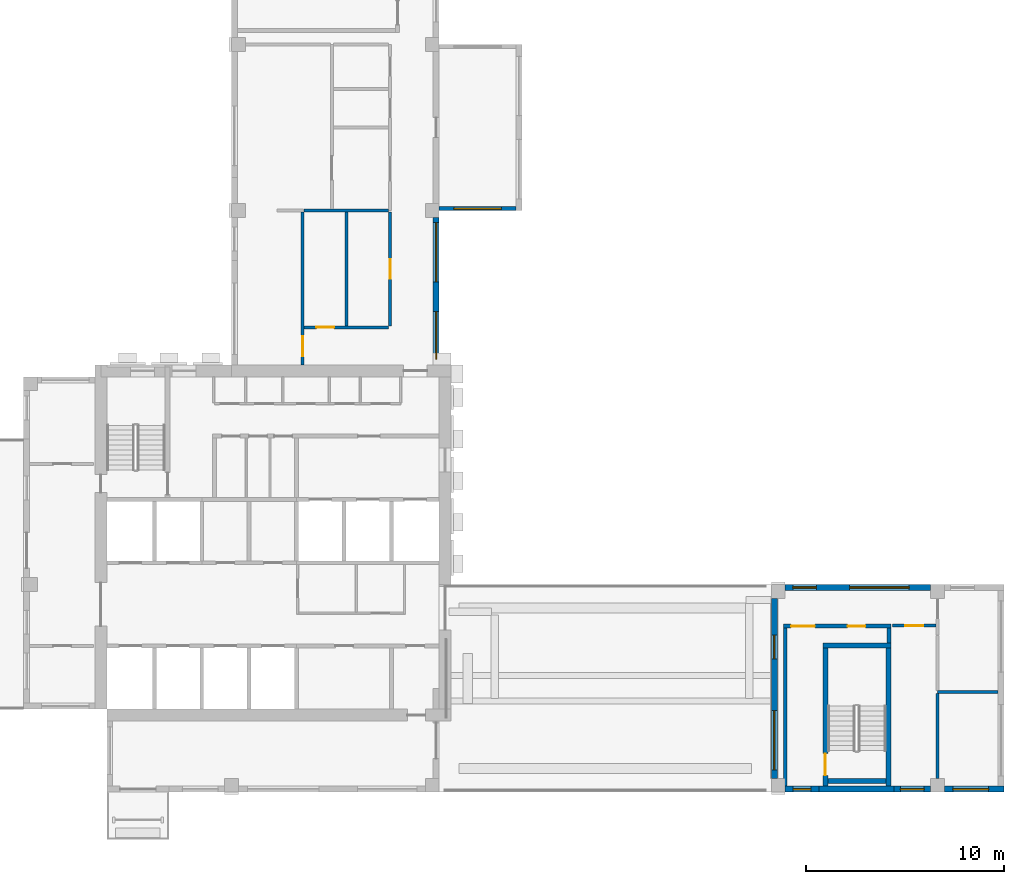
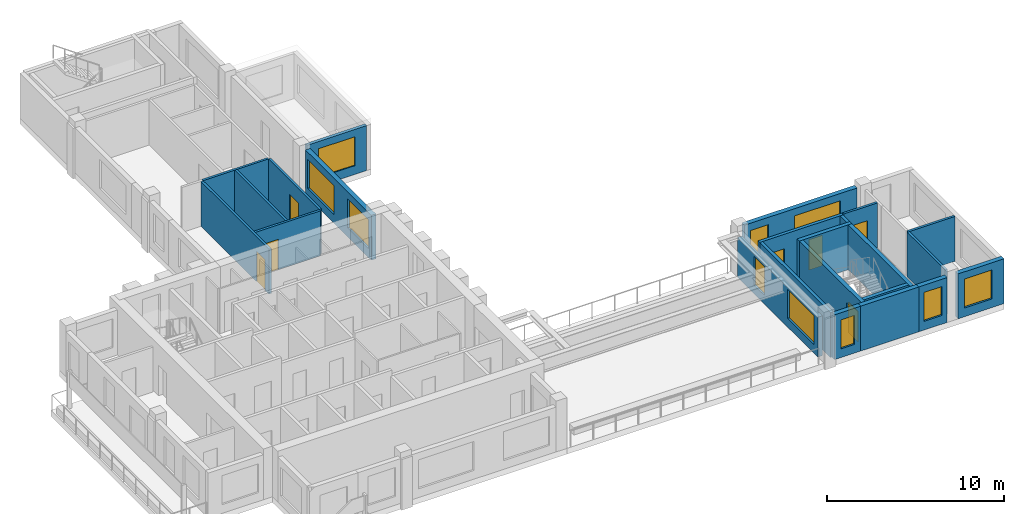
# One storey, part 4 of 10: 23 walls, 10 windows, 7 doors, 17 openings.
"""IFC4 building model written with IfcOpenShell, lengths in metres."""

from ifc_helpers import new_model, si_unit, direction, frame, frame_2d, origin, place, context, subcontext, project, spatial, rectangle, extrude, source, transform, mapped, material, layer, layer_set, type_object, element, fill, save


model = new_model("IFC4")

# Units and contexts
model_context = context("Model", 3, precision=1e-05, world=origin(), true_north=direction((0.0, 1.0)))
body_context = subcontext(model_context, "Body", "Model", "MODEL_VIEW")
ifc_project = project(units=[si_unit("LENGTHUNIT", "METRE"), si_unit("AREAUNIT", "SQUARE_METRE"), si_unit("VOLUMEUNIT", "CUBIC_METRE"), si_unit("PLANEANGLEUNIT", "RADIAN"), si_unit("MASSUNIT", "GRAM", prefix="KILO")], contexts=[model_context])

# Site, building, storey
site_placement = place(None, origin())
site = spatial("IfcSite", under=ifc_project, at=site_placement, CompositionType="ELEMENT")
building_placement = place(site_placement, origin())
building = spatial("IfcBuilding", under=site, at=building_placement, Name="Aurelian Terraces", CompositionType="ELEMENT")
storey_placement = place(building_placement, frame((0.0, 0.0, 291.5)))
storey = spatial("IfcBuildingStorey", under=building, at=storey_placement, Name="L66", CompositionType="ELEMENT", Elevation=291.5)

# Wall, opening, window
ifc_material_1 = material(Name="Terracotta rainscreen cladding", Category="masonry")
ifc_layer_1 = layer(ifc_material_1, 0.3)
ifc_layer_set_1 = layer_set([ifc_layer_1], Name="EW-300")
wall_type_1 = type_object("IfcWallType", Name="EW-300", PredefinedType="STANDARD", material=ifc_layer_set_1)
wall_1_placement = place(storey_placement, frame((38.5, 0.15, 0.0), z_axis=(0.0, 0.0, 1.0), x_axis=(1.0, 0.0, 0.0)))
wall_1 = element("IfcWall", 1, at=wall_1_placement, inside=storey, type_object=wall_type_1, Name="External wall L66 F13.23", PredefinedType="STANDARD", context=body_context, shape_type="SweptSolid", body=[
    extrude(rectangle(XDim=1.7, YDim=0.3, at=frame_2d((0.85, 0.0))), origin(), (0.0, 0.0, 1.0), 3.1),
])
opening_1_placement = place(wall_1_placement, frame((0.4, 0.0, 0.6)))
opening_1 = element("IfcOpeningElement", 2, at=opening_1_placement, cuts=wall_1, Name="Opening W0920", PredefinedType="OPENING", context=body_context, shape_type="SweptSolid", body=[
    extrude(rectangle(XDim=0.9, YDim=2.0, at=frame_2d((0.45, 1.0))), frame((0.0, 0.16, 0.0), z_axis=(0.0, -1.0, 0.0), x_axis=(1.0, 0.0, 0.0)), (0.0, 0.0, 1.0), 0.32),
])
ifc_material_2 = material(Name="Clear glazing", Category="glass")
window_type_1 = type_object("IfcWindowType", Name="W-900x2000", PartitioningType="SINGLE_PANEL", PredefinedType="WINDOW", material=ifc_material_2)
window_1_placement = place(opening_1_placement, origin())
window_1 = element("IfcWindow", 3, at=window_1_placement, inside=storey, type_object=window_type_1, Name="Window L66 L66-F13-23-P0", OverallHeight=2.0, OverallWidth=0.9, PartitioningType="SINGLE_PANEL", PredefinedType="WINDOW", context=body_context, shape_type="SweptSolid", body=[
    extrude(rectangle(XDim=0.9, YDim=2.0, at=frame_2d((0.45, 1.0))), frame((0.0, 0.03, 0.0), z_axis=(0.0, -1.0, 0.0), x_axis=(1.0, 0.0, 0.0)), (0.0, 0.0, 1.0), 0.06),
])
fill(opening_1, window_1)

# Wall, openings, windows
wall_2_placement = place(storey_placement, frame((45.85, 10.35, 0.0), z_axis=(0.0, 0.0, 1.0), x_axis=(-1.0, 0.0, 0.0)))
wall_2 = element("IfcWall", 4, at=wall_2_placement, inside=storey, type_object=wall_type_1, Name="External wall L66 F15.26", PredefinedType="STANDARD", context=body_context, shape_type="SweptSolid", body=[
    extrude(rectangle(XDim=7.35, YDim=0.3, at=frame_2d((3.675, 0.0))), origin(), (0.0, 0.0, 1.0), 3.1),
])
shared_shape_1 = source(origin(), body_context, "Body", "SweptSolid", [
    extrude(rectangle(XDim=3.0, YDim=2.0, at=frame_2d((1.5, 1.0))), frame((0.0, 0.16, 0.0), z_axis=(0.0, -1.0, 0.0), x_axis=(1.0, 0.0, 0.0)), (0.0, 0.0, 1.0), 0.32),
])
opening_2_placement = place(wall_2_placement, frame((1.09, 0.0, 0.6)))
opening_2 = element("IfcOpeningElement", 5, at=opening_2_placement, cuts=wall_2, Name="Opening W3020", PredefinedType="OPENING", context=body_context, shape_type="MappedRepresentation", body=[
    mapped(shared_shape_1, transform((0.0, 0.0, 0.0), scale=1.0)),
])
shared_shape_2 = source(origin(), body_context, "Body", "SweptSolid", [
    extrude(rectangle(XDim=1.2, YDim=2.0, at=frame_2d((0.6, 1.0))), frame((0.0, 0.16, 0.0), z_axis=(0.0, -1.0, 0.0), x_axis=(1.0, 0.0, 0.0)), (0.0, 0.0, 1.0), 0.32),
])
opening_3_placement = place(wall_2_placement, frame((5.77, 0.0, 0.6)))
opening_3 = element("IfcOpeningElement", 6, at=opening_3_placement, cuts=wall_2, Name="Opening W1220", PredefinedType="OPENING", context=body_context, shape_type="MappedRepresentation", body=[
    mapped(shared_shape_2, transform((0.0, 0.0, 0.0), scale=1.0)),
])
window_type_2 = type_object("IfcWindowType", Name="W-3000x2000", PartitioningType="SINGLE_PANEL", PredefinedType="WINDOW", material=ifc_material_2)
shared_shape_3 = source(origin(), body_context, "Body", "SweptSolid", [
    extrude(rectangle(XDim=3.0, YDim=2.0, at=frame_2d((1.5, 1.0))), frame((0.0, 0.03, 0.0), z_axis=(0.0, -1.0, 0.0), x_axis=(1.0, 0.0, 0.0)), (0.0, 0.0, 1.0), 0.06),
])
window_2_placement = place(opening_2_placement, origin())
window_2 = element("IfcWindow", 7, at=window_2_placement, inside=storey, type_object=window_type_2, Name="Window L66 L66-F15-26-1", OverallHeight=2.0, OverallWidth=3.0, PartitioningType="SINGLE_PANEL", PredefinedType="WINDOW", context=body_context, shape_type="MappedRepresentation", body=[
    mapped(shared_shape_3, transform((0.0, 0.0, 0.0), scale=1.0)),
])
fill(opening_2, window_2)
window_type_3 = type_object("IfcWindowType", Name="W-1200x2000", PartitioningType="SINGLE_PANEL", PredefinedType="WINDOW", material=ifc_material_2)
shared_shape_4 = source(origin(), body_context, "Body", "SweptSolid", [
    extrude(rectangle(XDim=1.2, YDim=2.0, at=frame_2d((0.6, 1.0))), frame((0.0, 0.03, 0.0), z_axis=(0.0, -1.0, 0.0), x_axis=(1.0, 0.0, 0.0)), (0.0, 0.0, 1.0), 0.06),
])
window_3_placement = place(opening_3_placement, origin())
window_3 = element("IfcWindow", 8, at=window_3_placement, inside=storey, type_object=window_type_3, Name="Window L66 L66-F15-26-2", OverallHeight=2.0, OverallWidth=1.2, PartitioningType="SINGLE_PANEL", PredefinedType="WINDOW", context=body_context, shape_type="MappedRepresentation", body=[
    mapped(shared_shape_4, transform((0.0, 0.0, 0.0), scale=1.0)),
])
fill(opening_3, window_3)

wall_3_placement = place(storey_placement, frame((37.95, 9.8, 0.0), z_axis=(0.0, 0.0, 1.0), x_axis=(0.0, -1.0, 0.0)))
wall_3 = element("IfcWall", 9, at=wall_3_placement, inside=storey, type_object=wall_type_1, Name="External wall L66 F16.27", PredefinedType="STANDARD", context=body_context, shape_type="SweptSolid", body=[
    extrude(rectangle(XDim=9.1, YDim=0.3, at=frame_2d((4.55, 0.0))), origin(), (0.0, 0.0, 1.0), 2.7438),
])
opening_4_placement = place(wall_3_placement, frame((1.8625, 0.0, 0.6)))
opening_4 = element("IfcOpeningElement", 10, at=opening_4_placement, cuts=wall_3, Name="Opening W1220", PredefinedType="OPENING", context=body_context, shape_type="MappedRepresentation", body=[
    mapped(shared_shape_2, transform((0.0, 0.0, 0.0), scale=1.0)),
])
opening_5_placement = place(wall_3_placement, frame((5.675, 0.0, 0.6)))
opening_5 = element("IfcOpeningElement", 11, at=opening_5_placement, cuts=wall_3, Name="Opening W3020", PredefinedType="OPENING", context=body_context, shape_type="MappedRepresentation", body=[
    mapped(shared_shape_1, transform((0.0, 0.0, 0.0), scale=1.0)),
])
window_4_placement = place(opening_5_placement, origin())
window_4 = element("IfcWindow", 12, at=window_4_placement, inside=storey, type_object=window_type_2, Name="Window L66 L66-F16-27-1", OverallHeight=2.0, OverallWidth=3.0, PartitioningType="SINGLE_PANEL", PredefinedType="WINDOW", context=body_context, shape_type="MappedRepresentation", body=[
    mapped(shared_shape_3, transform((0.0, 0.0, 0.0), scale=1.0)),
])
fill(opening_5, window_4)
window_5_placement = place(opening_4_placement, origin())
window_5 = element("IfcWindow", 13, at=window_5_placement, inside=storey, type_object=window_type_3, Name="Window L66 L66-F16-27-0", OverallHeight=2.0, OverallWidth=1.2, PartitioningType="SINGLE_PANEL", PredefinedType="WINDOW", context=body_context, shape_type="MappedRepresentation", body=[
    mapped(shared_shape_4, transform((0.0, 0.0, 0.0), scale=1.0)),
])
fill(opening_4, window_5)

# Wall
ifc_material_3 = material(Name="Gypsum board on steel studs", Category="steel")
ifc_layer_2 = layer(ifc_material_3, 0.15)
ifc_layer_set_2 = layer_set([ifc_layer_2], Name="Fire partition 150")
wall_type_2 = type_object("IfcWallType", Name="Fire partition 150", PredefinedType="PARTITIONING", material=ifc_layer_set_2)
wall_4_placement = place(storey_placement, frame((46.2, 0.699, 0.0), z_axis=(0.0, 0.0, 1.0), x_axis=(0.0, 1.0, 0.0)))
element("IfcWall", 14, at=wall_4_placement, inside=storey, type_object=wall_type_2, Name="Party wall", PredefinedType="PARTITIONING", context=body_context, shape_type="SweptSolid", body=[
    extrude(rectangle(XDim=4.301, YDim=0.15, at=frame_2d((2.1505, 0.0))), origin(), (0.0, 0.0, 1.0), 3.1),
])

# Wall, opening, door
ifc_layer_3 = layer(ifc_material_3, 0.15)
ifc_layer_set_3 = layer_set([ifc_layer_3], Name="Partition 150")
wall_type_3 = type_object("IfcWallType", Name="Partition 150", PredefinedType="PARTITIONING", material=ifc_layer_set_3)
wall_5_placement = place(storey_placement, frame((14.175, 23.5, 0.0), z_axis=(0.0, 0.0, 1.0), x_axis=(1.0, 0.0, 0.0)))
wall_5 = element("IfcWall", 15, at=wall_5_placement, inside=storey, type_object=wall_type_3, Name="Partition", PredefinedType="PARTITIONING", context=body_context, shape_type="SweptSolid", body=[
    extrude(rectangle(XDim=4.275, YDim=0.15, at=frame_2d((2.1375, 0.0))), origin(), (0.0, 0.0, 1.0), 3.1),
])
shared_shape_5 = source(origin(), body_context, "Body", "SweptSolid", [
    extrude(rectangle(XDim=0.9, YDim=2.1, at=frame_2d((0.45, 1.05))), frame((0.0, 0.085, 0.0), z_axis=(0.0, -1.0, 0.0), x_axis=(1.0, 0.0, 0.0)), (0.0, 0.0, 1.0), 0.17),
])
opening_6_placement = place(wall_5_placement, frame((0.6185, 0.0, 0.0)))
opening_6 = element("IfcOpeningElement", 16, at=opening_6_placement, cuts=wall_5, Name="Opening 766004", PredefinedType="OPENING", context=body_context, shape_type="MappedRepresentation", body=[
    mapped(shared_shape_5, transform((0.0, 0.0, 0.0), scale=1.0)),
])
ifc_material_4 = material(Name="Timber door leaf", Category="wood")
door_type_1 = type_object("IfcDoorType", Name="Room door 900x2100 right", OperationType="SINGLE_SWING_RIGHT", PredefinedType="DOOR", material=ifc_material_4)
shared_shape_6 = source(origin(), body_context, "Body", "SweptSolid", [
    extrude(rectangle(XDim=0.9, YDim=2.1, at=frame_2d((0.45, 1.05))), frame((0.0, 0.025, 0.0), z_axis=(0.0, -1.0, 0.0), x_axis=(1.0, 0.0, 0.0)), (0.0, 0.0, 1.0), 0.05),
])
door_1_placement = place(opening_6_placement, origin())
door_1 = element("IfcDoor", 17, at=door_1_placement, inside=storey, type_object=door_type_1, Name="Door 766004", OperationType="SINGLE_SWING_RIGHT", OverallHeight=2.1, OverallWidth=0.9, PredefinedType="DOOR", context=body_context, shape_type="MappedRepresentation", body=[
    mapped(shared_shape_6, transform((0.0, 0.0, 0.0), scale=1.0)),
])
fill(opening_6, door_1)

# Wall, opening, window
shared_shape_7 = source(origin(), body_context, "Body", "SweptSolid", [
    extrude(rectangle(XDim=3.01, YDim=0.3, at=frame_2d((1.505, 0.0))), origin(), (0.0, 0.0, 1.0), 3.1),
])
wall_6_placement = place(storey_placement, frame((46.55, 0.15, 0.0), z_axis=(0.0, 0.0, 1.0), x_axis=(1.0, 0.0, 0.0)))
wall_6 = element("IfcWall", 18, at=wall_6_placement, inside=storey, type_object=wall_type_1, Name="External wall L66 F13.24", PredefinedType="STANDARD", context=body_context, shape_type="MappedRepresentation", body=[
    mapped(shared_shape_7, transform((0.0, 0.0, 0.0), scale=1.0)),
])
shared_shape_8 = source(origin(), body_context, "Body", "SweptSolid", [
    extrude(rectangle(XDim=1.8, YDim=2.0, at=frame_2d((0.9, 1.0))), frame((0.0, 0.16, 0.0), z_axis=(0.0, -1.0, 0.0), x_axis=(1.0, 0.0, 0.0)), (0.0, 0.0, 1.0), 0.32),
])
opening_7_placement = place(wall_6_placement, frame((0.43, 0.0, 0.6)))
opening_7 = element("IfcOpeningElement", 19, at=opening_7_placement, cuts=wall_6, Name="Opening W1820", PredefinedType="OPENING", context=body_context, shape_type="MappedRepresentation", body=[
    mapped(shared_shape_8, transform((0.0, 0.0, 0.0), scale=1.0)),
])
window_type_4 = type_object("IfcWindowType", Name="W-1800x2000", PartitioningType="SINGLE_PANEL", PredefinedType="WINDOW", material=ifc_material_2)
shared_shape_9 = source(origin(), body_context, "Body", "SweptSolid", [
    extrude(rectangle(XDim=1.8, YDim=2.0, at=frame_2d((0.9, 1.0))), frame((0.0, 0.03, 0.0), z_axis=(0.0, -1.0, 0.0), x_axis=(1.0, 0.0, 0.0)), (0.0, 0.0, 1.0), 0.06),
])
window_6_placement = place(opening_7_placement, origin())
window_6 = element("IfcWindow", 20, at=window_6_placement, inside=storey, type_object=window_type_4, Name="Window L66 L66-F13-24-0", OverallHeight=2.0, OverallWidth=1.8, PartitioningType="SINGLE_PANEL", PredefinedType="WINDOW", context=body_context, shape_type="MappedRepresentation", body=[
    mapped(shared_shape_9, transform((0.0, 0.0, 0.0), scale=1.0)),
])
fill(opening_7, window_6)

# Wall, openings, windows
shared_shape_10 = source(origin(), body_context, "Body", "SweptSolid", [
    extrude(rectangle(XDim=7.45, YDim=0.3, at=frame_2d((3.725, 0.0))), origin(), (0.0, 0.0, 1.0), 3.1),
])
wall_7_placement = place(storey_placement, frame((20.85, 21.6, 0.0), z_axis=(0.0, 0.0, 1.0), x_axis=(0.0, 1.0, 0.0)))
wall_7 = element("IfcWall", 21, at=wall_7_placement, inside=storey, type_object=wall_type_1, Name="External wall L66 F02.7", PredefinedType="STANDARD", context=body_context, shape_type="MappedRepresentation", body=[
    mapped(shared_shape_10, transform((0.0, 0.0, 0.0), scale=1.0)),
])
shared_shape_11 = source(origin(), body_context, "Body", "SweptSolid", [
    extrude(rectangle(XDim=2.4, YDim=2.0, at=frame_2d((1.2, 1.0))), frame((0.0, 0.16, 0.0), z_axis=(0.0, -1.0, 0.0), x_axis=(1.0, 0.0, 0.0)), (0.0, 0.0, 1.0), 0.32),
])
opening_8_placement = place(wall_7_placement, frame((0.3, 0.0, 0.6)))
opening_8 = element("IfcOpeningElement", 22, at=opening_8_placement, cuts=wall_7, Name="Opening W2420", PredefinedType="OPENING", context=body_context, shape_type="MappedRepresentation", body=[
    mapped(shared_shape_11, transform((0.0, 0.0, 0.0), scale=1.0)),
])
opening_9_placement = place(wall_7_placement, frame((4.2, 0.0, 0.6)))
opening_9 = element("IfcOpeningElement", 23, at=opening_9_placement, cuts=wall_7, Name="Opening W3020", PredefinedType="OPENING", context=body_context, shape_type="MappedRepresentation", body=[
    mapped(shared_shape_1, transform((0.0, 0.0, 0.0), scale=1.0)),
])
window_7_placement = place(opening_9_placement, origin())
window_7 = element("IfcWindow", 24, at=window_7_placement, inside=storey, type_object=window_type_2, Name="Window L66 L66-F02-07-1", OverallHeight=2.0, OverallWidth=3.0, PartitioningType="SINGLE_PANEL", PredefinedType="WINDOW", context=body_context, shape_type="MappedRepresentation", body=[
    mapped(shared_shape_3, transform((0.0, 0.0, 0.0), scale=1.0)),
])
fill(opening_9, window_7)
window_type_5 = type_object("IfcWindowType", Name="W-2400x2000", PartitioningType="SINGLE_PANEL", PredefinedType="WINDOW", material=ifc_material_2)
shared_shape_12 = source(origin(), body_context, "Body", "SweptSolid", [
    extrude(rectangle(XDim=2.4, YDim=2.0, at=frame_2d((1.2, 1.0))), frame((0.0, 0.03, 0.0), z_axis=(0.0, -1.0, 0.0), x_axis=(1.0, 0.0, 0.0)), (0.0, 0.0, 1.0), 0.06),
])
window_8_placement = place(opening_8_placement, origin())
window_8 = element("IfcWindow", 25, at=window_8_placement, inside=storey, type_object=window_type_5, Name="Window L66 L66-F02-07-0", OverallHeight=2.0, OverallWidth=2.4, PartitioningType="SINGLE_PANEL", PredefinedType="WINDOW", context=body_context, shape_type="MappedRepresentation", body=[
    mapped(shared_shape_12, transform((0.0, 0.0, 0.0), scale=1.0)),
])
fill(opening_8, window_8)

# Wall, opening, window
ifc_material_5 = material(Name="Concrete fc' 40 MPa", Category="concrete")
ifc_layer_4 = layer(ifc_material_5, 0.2)
ifc_layer_set_4 = layer_set([ifc_layer_4], Name="BOX BEARING WALL 200")
wall_type_4 = type_object("IfcWallType", Name="BOX BEARING WALL 200", PredefinedType="SOLIDWALL", material=ifc_layer_set_4)
shared_shape_13 = source(origin(), body_context, "Body", "SweptSolid", [
    extrude(rectangle(XDim=3.9, YDim=0.2, at=frame_2d((1.95, 0.0))), origin(), (0.0, 0.0, 1.0), 3.1),
])
wall_8_placement = place(storey_placement, frame((21.0, 29.5, 0.0), z_axis=(0.0, 0.0, 1.0), x_axis=(1.0, 0.0, 0.0)))
wall_8 = element("IfcWall", 26, at=wall_8_placement, inside=storey, type_object=wall_type_4, Name="Box return L66 J89.1", PredefinedType="SOLIDWALL", context=body_context, shape_type="MappedRepresentation", body=[
    mapped(shared_shape_13, transform((0.0, 0.0, 0.0), scale=1.0)),
])
shared_shape_14 = source(origin(), body_context, "Body", "SweptSolid", [
    extrude(rectangle(XDim=2.4, YDim=2.0, at=frame_2d((1.2, 1.0))), frame((0.0, 0.11, 0.0), z_axis=(0.0, -1.0, 0.0), x_axis=(1.0, 0.0, 0.0)), (0.0, 0.0, 1.0), 0.22),
])
opening_10_placement = place(wall_8_placement, frame((0.75, 0.0, 0.6)))
opening_10 = element("IfcOpeningElement", 27, at=opening_10_placement, cuts=wall_8, Name="Opening W2420", PredefinedType="OPENING", context=body_context, shape_type="MappedRepresentation", body=[
    mapped(shared_shape_14, transform((0.0, 0.0, 0.0), scale=1.0)),
])
window_9_placement = place(opening_10_placement, origin())
window_9 = element("IfcWindow", 28, at=window_9_placement, inside=storey, type_object=window_type_5, Name="Window L66 J89-S1", OverallHeight=2.0, OverallWidth=2.4, PartitioningType="SINGLE_PANEL", PredefinedType="WINDOW", context=body_context, shape_type="MappedRepresentation", body=[
    mapped(shared_shape_12, transform((0.0, 0.0, 0.0), scale=1.0)),
])
fill(opening_10, window_9)

# Wall
ifc_layer_5 = layer(ifc_material_5, 0.3)
ifc_layer_set_5 = layer_set([ifc_layer_5], Name="STAIR BAY WALL 300")
wall_type_5 = type_object("IfcWallType", Name="STAIR BAY WALL 300", PredefinedType="SOLIDWALL", material=ifc_layer_set_5)
shared_shape_15 = source(origin(), body_context, "Body", "SweptSolid", [
    extrude(rectangle(XDim=3.8, YDim=0.3, at=frame_2d((1.9, 0.0))), origin(), (0.0, 0.0, 1.0), 3.1),
])
wall_9_placement = place(storey_placement, frame((40.2, 0.15, 0.0), z_axis=(0.0, 0.0, 1.0), x_axis=(1.0, 0.0, 0.0)))
element("IfcWall", 29, at=wall_9_placement, inside=storey, type_object=wall_type_5, Name="Stair bay wall L66 F13.23", PredefinedType="SOLIDWALL", context=body_context, shape_type="MappedRepresentation", body=[
    mapped(shared_shape_15, transform((0.0, 0.0, 0.0), scale=1.0)),
])

# Wall, opening, window
shared_shape_16 = source(origin(), body_context, "Body", "SweptSolid", [
    extrude(rectangle(XDim=1.85, YDim=0.3, at=frame_2d((0.925, 0.0))), origin(), (0.0, 0.0, 1.0), 3.1),
])
wall_10_placement = place(storey_placement, frame((44.0, 0.15, 0.0), z_axis=(0.0, 0.0, 1.0), x_axis=(1.0, 0.0, 0.0)))
wall_10 = element("IfcWall", 30, at=wall_10_placement, inside=storey, type_object=wall_type_1, Name="External wall L66 F13.23", PredefinedType="STANDARD", context=body_context, shape_type="MappedRepresentation", body=[
    mapped(shared_shape_16, transform((0.0, 0.0, 0.0), scale=1.0)),
])
opening_11_placement = place(wall_10_placement, frame((0.325, 0.0, 0.6)))
opening_11 = element("IfcOpeningElement", 31, at=opening_11_placement, cuts=wall_10, Name="Opening W1220", PredefinedType="OPENING", context=body_context, shape_type="MappedRepresentation", body=[
    mapped(shared_shape_2, transform((0.0, 0.0, 0.0), scale=1.0)),
])
window_10_placement = place(opening_11_placement, origin())
window_10 = element("IfcWindow", 32, at=window_10_placement, inside=storey, type_object=window_type_3, Name="Window L66 L66-F13-23-P2", OverallHeight=2.0, OverallWidth=1.2, PartitioningType="SINGLE_PANEL", PredefinedType="WINDOW", context=body_context, shape_type="MappedRepresentation", body=[
    mapped(shared_shape_4, transform((0.0, 0.0, 0.0), scale=1.0)),
])
fill(opening_11, window_10)

# Wall, opening, door
ifc_layer_6 = layer(ifc_material_5, 0.25)
ifc_layer_set_6 = layer_set([ifc_layer_6], Name="Stair enclosure wall 250")
wall_type_6 = type_object("IfcWallType", Name="Stair enclosure wall 250", PredefinedType="SOLIDWALL", material=ifc_layer_set_6)
shared_shape_17 = source(origin(), body_context, "Body", "SweptSolid", [
    extrude(rectangle(XDim=7.0, YDim=0.25, at=frame_2d((3.5, 0.0))), origin(), (0.0, 0.0, 1.0), 3.1),
])
wall_11_placement = place(storey_placement, frame((40.525, 0.3, 0.0), z_axis=(0.0, 0.0, 1.0), x_axis=(0.0, 1.0, 0.0)))
wall_11 = element("IfcWall", 33, at=wall_11_placement, inside=storey, type_object=wall_type_6, Name="L66 core wall ST-S2-W", PredefinedType="SOLIDWALL", context=body_context, shape_type="MappedRepresentation", body=[
    mapped(shared_shape_17, transform((0.0, 0.0, 0.0), scale=1.0)),
])
shared_shape_18 = source(origin(), body_context, "Body", "SweptSolid", [
    extrude(rectangle(XDim=1.1, YDim=2.1, at=frame_2d((0.55, 1.05))), frame((0.0, 0.135, 0.0), z_axis=(0.0, -1.0, 0.0), x_axis=(1.0, 0.0, 0.0)), (0.0, 0.0, 1.0), 0.27),
])
opening_12_placement = place(wall_11_placement, frame((0.55, 0.0, 0.0)))
opening_12 = element("IfcOpeningElement", 34, at=opening_12_placement, cuts=wall_11, Name="Opening 66925", PredefinedType="OPENING", context=body_context, shape_type="MappedRepresentation", body=[
    mapped(shared_shape_18, transform((0.0, 0.0, 0.0), scale=1.0)),
])
ifc_material_6 = material(Name="Steel door leaf", Category="steel")
door_type_2 = type_object("IfcDoorType", Name="Core fire door 1100x2100", OperationType="SINGLE_SWING_LEFT", PredefinedType="DOOR", material=ifc_material_6)
shared_shape_19 = source(origin(), body_context, "Body", "SweptSolid", [
    extrude(rectangle(XDim=1.1, YDim=2.1, at=frame_2d((0.55, 1.05))), frame((0.0, 0.025, 0.0), z_axis=(0.0, -1.0, 0.0), x_axis=(1.0, 0.0, 0.0)), (0.0, 0.0, 1.0), 0.05),
])
door_2_placement = place(opening_12_placement, origin())
door_2 = element("IfcDoor", 35, at=door_2_placement, inside=storey, type_object=door_type_2, Name="Stair door 66925", OperationType="SINGLE_SWING_LEFT", OverallHeight=2.1, OverallWidth=1.1, PredefinedType="DOOR", context=body_context, shape_type="MappedRepresentation", body=[
    mapped(shared_shape_19, transform((0.0, 0.0, 0.0), scale=1.0)),
])
fill(opening_12, door_2)

# Walls
wall_12_placement = place(storey_placement, frame((43.725, 0.3, 0.0), z_axis=(0.0, 0.0, 1.0), x_axis=(0.0, 1.0, 0.0)))
element("IfcWall", 36, at=wall_12_placement, inside=storey, type_object=wall_type_6, Name="L66 core wall ST-S2-E", PredefinedType="SOLIDWALL", context=body_context, shape_type="MappedRepresentation", body=[
    mapped(shared_shape_17, transform((0.0, 0.0, 0.0), scale=1.0)),
])
shared_shape_20 = source(origin(), body_context, "Body", "SweptSolid", [
    extrude(rectangle(XDim=3.45, YDim=0.25, at=frame_2d((1.725, 0.0))), origin(), (0.0, 0.0, 1.0), 3.1),
])
wall_13_placement = place(storey_placement, frame((40.4, 7.425, 0.0), z_axis=(0.0, 0.0, 1.0), x_axis=(1.0, 0.0, 0.0)))
element("IfcWall", 37, at=wall_13_placement, inside=storey, type_object=wall_type_6, Name="L66 core wall ST-S2-N", PredefinedType="SOLIDWALL", context=body_context, shape_type="MappedRepresentation", body=[
    mapped(shared_shape_20, transform((0.0, 0.0, 0.0), scale=1.0)),
])
ifc_layer_7 = layer(ifc_material_3, 0.2)
ifc_layer_set_7 = layer_set([ifc_layer_7], Name="Core partition 200")
wall_type_7 = type_object("IfcWallType", Name="Core partition 200", PredefinedType="PARTITIONING", material=ifc_layer_set_7)
shared_shape_21 = source(origin(), body_context, "Body", "SweptSolid", [
    extrude(rectangle(XDim=8.0, YDim=0.2, at=frame_2d((4.0, 0.0))), origin(), (0.0, 0.0, 1.0), 3.1),
])
wall_14_placement = place(storey_placement, frame((38.5, 0.3, 0.0), z_axis=(0.0, 0.0, 1.0), x_axis=(0.0, 1.0, 0.0)))
element("IfcWall", 38, at=wall_14_placement, inside=storey, type_object=wall_type_7, Name="L66 core wall ST-S2-VW", PredefinedType="PARTITIONING", context=body_context, shape_type="MappedRepresentation", body=[
    mapped(shared_shape_21, transform((0.0, 0.0, 0.0), scale=1.0)),
])

# Wall, openings, doors
shared_shape_22 = source(origin(), body_context, "Body", "SweptSolid", [
    extrude(rectangle(XDim=5.45, YDim=0.2, at=frame_2d((2.725, 0.0))), origin(), (0.0, 0.0, 1.0), 3.1),
])
wall_15_placement = place(storey_placement, frame((38.4, 8.4, 0.0), z_axis=(0.0, 0.0, 1.0), x_axis=(1.0, 0.0, 0.0)))
wall_15 = element("IfcWall", 39, at=wall_15_placement, inside=storey, type_object=wall_type_7, Name="L66 core wall ST-S2-BN", PredefinedType="PARTITIONING", context=body_context, shape_type="MappedRepresentation", body=[
    mapped(shared_shape_22, transform((0.0, 0.0, 0.0), scale=1.0)),
])
shared_shape_23 = source(origin(), body_context, "Body", "SweptSolid", [
    extrude(rectangle(XDim=1.2, YDim=2.1, at=frame_2d((0.6, 1.05))), frame((0.0, 0.11, 0.0), z_axis=(0.0, -1.0, 0.0), x_axis=(1.0, 0.0, 0.0)), (0.0, 0.0, 1.0), 0.22),
])
opening_13_placement = place(wall_15_placement, frame((0.4, 0.0, 0.0)))
opening_13 = element("IfcOpeningElement", 40, at=opening_13_placement, cuts=wall_15, Name="Opening 66926", PredefinedType="OPENING", context=body_context, shape_type="MappedRepresentation", body=[
    mapped(shared_shape_23, transform((0.0, 0.0, 0.0), scale=1.0)),
])
shared_shape_24 = source(origin(), body_context, "Body", "SweptSolid", [
    extrude(rectangle(XDim=0.9, YDim=2.1, at=frame_2d((0.45, 1.05))), frame((0.0, 0.11, 0.0), z_axis=(0.0, -1.0, 0.0), x_axis=(1.0, 0.0, 0.0)), (0.0, 0.0, 1.0), 0.22),
])
opening_14_placement = place(wall_15_placement, frame((3.25, 0.0, 0.0)))
opening_14 = element("IfcOpeningElement", 41, at=opening_14_placement, cuts=wall_15, Name="Opening 66927", PredefinedType="OPENING", context=body_context, shape_type="MappedRepresentation", body=[
    mapped(shared_shape_24, transform((0.0, 0.0, 0.0), scale=1.0)),
])
door_type_3 = type_object("IfcDoorType", Name="Core riser door 900x2100", OperationType="SINGLE_SWING_LEFT", PredefinedType="DOOR", material=ifc_material_6)
door_3_placement = place(opening_14_placement, origin())
door_3 = element("IfcDoor", 42, at=door_3_placement, inside=storey, type_object=door_type_3, Name="Riser door 66927", OperationType="SINGLE_SWING_LEFT", OverallHeight=2.1, OverallWidth=0.9, PredefinedType="DOOR", context=body_context, shape_type="MappedRepresentation", body=[
    mapped(shared_shape_6, transform((0.0, 0.0, 0.0), scale=1.0)),
])
fill(opening_14, door_3)
door_type_4 = type_object("IfcDoorType", Name="Core fire door 1200x2100 right", OperationType="SINGLE_SWING_RIGHT", PredefinedType="DOOR", material=ifc_material_6)
shared_shape_25 = source(origin(), body_context, "Body", "SweptSolid", [
    extrude(rectangle(XDim=1.2, YDim=2.1, at=frame_2d((0.6, 1.05))), frame((0.0, 0.025, 0.0), z_axis=(0.0, -1.0, 0.0), x_axis=(1.0, 0.0, 0.0)), (0.0, 0.0, 1.0), 0.05),
])
door_4_placement = place(opening_13_placement, origin())
door_4 = element("IfcDoor", 43, at=door_4_placement, inside=storey, type_object=door_type_4, Name="Vestibule door 66926", OperationType="SINGLE_SWING_RIGHT", OverallHeight=2.1, OverallWidth=1.2, PredefinedType="DOOR", context=body_context, shape_type="MappedRepresentation", body=[
    mapped(shared_shape_25, transform((0.0, 0.0, 0.0), scale=1.0)),
])
fill(opening_13, door_4)

# Walls
shared_shape_26 = source(origin(), body_context, "Body", "SweptSolid", [
    extrude(rectangle(XDim=0.75, YDim=0.2, at=frame_2d((0.375, 0.0))), origin(), (0.0, 0.0, 1.0), 3.1),
])
wall_16_placement = place(storey_placement, frame((43.75, 7.55, 0.0), z_axis=(0.0, 0.0, 1.0), x_axis=(0.0, 1.0, 0.0)))
element("IfcWall", 44, at=wall_16_placement, inside=storey, type_object=wall_type_7, Name="L66 core wall ST-S2-RE", PredefinedType="PARTITIONING", context=body_context, shape_type="MappedRepresentation", body=[
    mapped(shared_shape_26, transform((0.0, 0.0, 0.0), scale=1.0)),
])
shared_shape_27 = source(origin(), body_context, "Body", "SweptSolid", [
    extrude(rectangle(XDim=2.95, YDim=0.25, at=frame_2d((1.475, 0.0))), origin(), (0.0, 0.0, 1.0), 3.1),
])
wall_17_placement = place(storey_placement, frame((40.65, 0.575, 0.0), z_axis=(0.0, 0.0, 1.0), x_axis=(1.0, 0.0, 0.0)))
element("IfcWall", 45, at=wall_17_placement, inside=storey, type_object=wall_type_6, Name="L66 core wall ST-S2-SS", PredefinedType="SOLIDWALL", context=body_context, shape_type="MappedRepresentation", body=[
    mapped(shared_shape_27, transform((0.0, 0.0, 0.0), scale=1.0)),
])

# Wall, opening, door
shared_shape_28 = source(origin(), body_context, "Body", "SweptSolid", [
    extrude(rectangle(XDim=5.75, YDim=0.15, at=frame_2d((2.875, 0.0))), origin(), (0.0, 0.0, 1.0), 3.1),
])
wall_18_placement = place(storey_placement, frame((18.525, 23.575, 0.0), z_axis=(0.0, 0.0, 1.0), x_axis=(0.0, 1.0, 0.0)))
wall_18 = element("IfcWall", 46, at=wall_18_placement, inside=storey, type_object=wall_type_2, Name="Corridor wall", PredefinedType="PARTITIONING", context=body_context, shape_type="MappedRepresentation", body=[
    mapped(shared_shape_28, transform((0.0, 0.0, 0.0), scale=1.0)),
])
shared_shape_29 = source(origin(), body_context, "Body", "SweptSolid", [
    extrude(rectangle(XDim=1.0, YDim=2.1, at=frame_2d((0.5, 1.05))), frame((0.0, 0.085, 0.0), z_axis=(0.0, -1.0, 0.0), x_axis=(1.0, 0.0, 0.0)), (0.0, 0.0, 1.0), 0.17),
])
opening_15_placement = place(wall_18_placement, frame((2.375, 0.0, 0.0)))
opening_15 = element("IfcOpeningElement", 47, at=opening_15_placement, cuts=wall_18, Name="Opening 766003", PredefinedType="OPENING", context=body_context, shape_type="MappedRepresentation", body=[
    mapped(shared_shape_29, transform((0.0, 0.0, 0.0), scale=1.0)),
])
door_type_5 = type_object("IfcDoorType", Name="Entrance fire door 1000x2100 left", OperationType="SINGLE_SWING_LEFT", PredefinedType="DOOR", material=ifc_material_6)
shared_shape_30 = source(origin(), body_context, "Body", "SweptSolid", [
    extrude(rectangle(XDim=1.0, YDim=2.1, at=frame_2d((0.5, 1.05))), frame((0.0, 0.025, 0.0), z_axis=(0.0, -1.0, 0.0), x_axis=(1.0, 0.0, 0.0)), (0.0, 0.0, 1.0), 0.05),
])
door_5_placement = place(opening_15_placement, origin())
door_5 = element("IfcDoor", 48, at=door_5_placement, inside=storey, type_object=door_type_5, Name="Door 766003", OperationType="SINGLE_SWING_LEFT", OverallHeight=2.1, OverallWidth=1.0, PredefinedType="DOOR", context=body_context, shape_type="MappedRepresentation", body=[
    mapped(shared_shape_30, transform((0.0, 0.0, 0.0), scale=1.0)),
])
fill(opening_15, door_5)

# Walls
wall_19_placement = place(storey_placement, frame((16.312, 23.575, 0.0), z_axis=(0.0, 0.0, 1.0), x_axis=(0.0, 1.0, 0.0)))
element("IfcWall", 49, at=wall_19_placement, inside=storey, type_object=wall_type_3, Name="Partition", PredefinedType="PARTITIONING", context=body_context, shape_type="MappedRepresentation", body=[
    mapped(shared_shape_28, transform((0.0, 0.0, 0.0), scale=1.0)),
])
shared_shape_31 = source(origin(), body_context, "Body", "SweptSolid", [
    extrude(rectangle(XDim=3.06, YDim=0.15, at=frame_2d((1.53, 0.0))), origin(), (0.0, 0.0, 1.0), 3.1),
])
wall_20_placement = place(storey_placement, frame((49.26, 5.075, 0.0), z_axis=(0.0, 0.0, 1.0), x_axis=(-1.0, 0.0, 0.0)))
element("IfcWall", 50, at=wall_20_placement, inside=storey, type_object=wall_type_3, Name="Partition", PredefinedType="PARTITIONING", context=body_context, shape_type="MappedRepresentation", body=[
    mapped(shared_shape_31, transform((0.0, 0.0, 0.0), scale=1.0)),
])

# Wall, opening, door
shared_shape_32 = source(origin(), body_context, "Body", "SweptSolid", [
    extrude(rectangle(XDim=7.725, YDim=0.15, at=frame_2d((3.8625, 0.0))), origin(), (0.0, 0.0, 1.0), 3.1),
])
wall_21_placement = place(storey_placement, frame((14.1, 29.325, 0.0), z_axis=(0.0, 0.0, 1.0), x_axis=(0.0, -1.0, 0.0)))
wall_21 = element("IfcWall", 51, at=wall_21_placement, inside=storey, type_object=wall_type_3, Name="Partition", PredefinedType="PARTITIONING", context=body_context, shape_type="MappedRepresentation", body=[
    mapped(shared_shape_32, transform((0.0, 0.0, 0.0), scale=1.0)),
])
opening_16_placement = place(wall_21_placement, frame((6.275, 0.0, 0.0)))
opening_16 = element("IfcOpeningElement", 52, at=opening_16_placement, cuts=wall_21, Name="Opening 766007", PredefinedType="OPENING", context=body_context, shape_type="MappedRepresentation", body=[
    mapped(shared_shape_29, transform((0.0, 0.0, 0.0), scale=1.0)),
])
door_type_6 = type_object("IfcDoorType", Name="Room door 1000x2100 right", OperationType="SINGLE_SWING_RIGHT", PredefinedType="DOOR", material=ifc_material_4)
door_6_placement = place(opening_16_placement, origin())
door_6 = element("IfcDoor", 53, at=door_6_placement, inside=storey, type_object=door_type_6, Name="Door 766007", OperationType="SINGLE_SWING_RIGHT", OverallHeight=2.1, OverallWidth=1.0, PredefinedType="DOOR", context=body_context, shape_type="MappedRepresentation", body=[
    mapped(shared_shape_30, transform((0.0, 0.0, 0.0), scale=1.0)),
])
fill(opening_16, door_6)

shared_shape_33 = source(origin(), body_context, "Body", "SweptSolid", [
    extrude(rectangle(XDim=2.2, YDim=0.15, at=frame_2d((1.1, 0.0))), origin(), (0.0, 0.0, 1.0), 3.1),
])
wall_22_placement = place(storey_placement, frame((46.125, 8.425, 0.0), z_axis=(0.0, 0.0, 1.0), x_axis=(-1.0, 0.0, 0.0)))
wall_22 = element("IfcWall", 54, at=wall_22_placement, inside=storey, type_object=wall_type_3, Name="Partition", PredefinedType="PARTITIONING", context=body_context, shape_type="MappedRepresentation", body=[
    mapped(shared_shape_33, transform((0.0, 0.0, 0.0), scale=1.0)),
])
opening_17_placement = place(wall_22_placement, frame((0.65, 0.0, 0.0)))
opening_17 = element("IfcOpeningElement", 55, at=opening_17_placement, cuts=wall_22, Name="Opening 766001", PredefinedType="OPENING", context=body_context, shape_type="MappedRepresentation", body=[
    mapped(shared_shape_5, transform((0.0, 0.0, 0.0), scale=1.0)),
])
door_7_placement = place(opening_17_placement, origin())
door_7 = element("IfcDoor", 56, at=door_7_placement, inside=storey, type_object=door_type_1, Name="Door 766001", OperationType="SINGLE_SWING_RIGHT", OverallHeight=2.1, OverallWidth=0.9, PredefinedType="DOOR", context=body_context, shape_type="MappedRepresentation", body=[
    mapped(shared_shape_6, transform((0.0, 0.0, 0.0), scale=1.0)),
])
fill(opening_17, door_7)

# Wall
shared_shape_34 = source(origin(), body_context, "Body", "SweptSolid", [
    extrude(rectangle(XDim=4.275, YDim=0.15, at=frame_2d((2.1375, 0.0))), origin(), (0.0, 0.0, 1.0), 3.1),
])
wall_23_placement = place(storey_placement, frame((18.45, 29.4, 0.0), z_axis=(0.0, 0.0, 1.0), x_axis=(-1.0, 0.0, 0.0)))
element("IfcWall", 57, at=wall_23_placement, inside=storey, type_object=wall_type_3, Name="Partition", PredefinedType="PARTITIONING", context=body_context, shape_type="MappedRepresentation", body=[
    mapped(shared_shape_34, transform((0.0, 0.0, 0.0), scale=1.0)),
])

save(model, "model.ifc")
